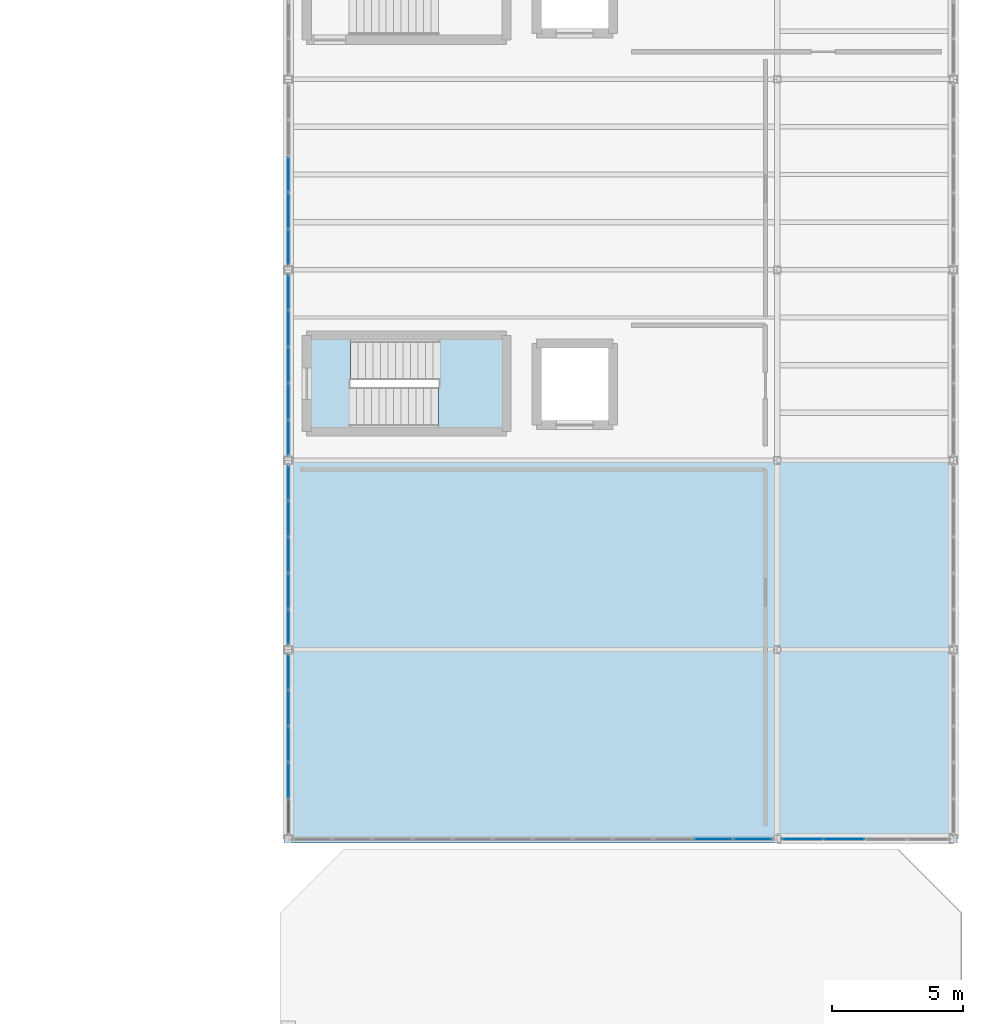
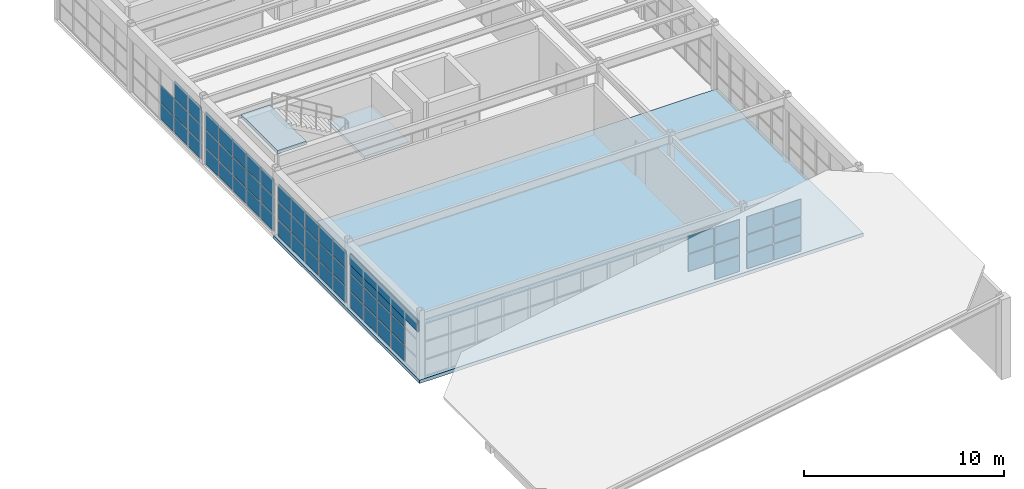
# One storey, part 39 of 52: 62 plates, 3 slabs, 7 elements without a shape of their own.
"""IFC4 building model written with IfcOpenShell, lengths in metres."""

import ifcopenshell
import ifcopenshell.guid

model = None  # the IFC model being written
_history = None  # IfcOwnerHistory: only IFC2X3 demands one
_inside = {}  # id of a spatial element -> (the spatial element, [elements in it])
_under = {}  # id of a project, library or spatial element -> (it, [spatial elements below it])
_declared = {}  # id of a project -> (the project, [libraries it declares])
_typed = {}  # id of a type object -> (the type object, [elements of that type])
_made_of = {}  # id of a material, layer set ... -> (it, [elements and type objects made of it])


def new_model(schema):
    """Start an empty IFC model of exactly this schema.

    Asked for "IFC4X3", IfcOpenShell would pick the latest addendum, in which some entities
    have other attributes; the version numbers below select the first issue.
    IFC2X3 requires an IfcOwnerHistory on every rooted entity: one is made here for all.
    """
    global model, _history
    if schema == "IFC4X3":
        model = ifcopenshell.file(schema_version=(4, 3, 0, 0))
    else:
        model = ifcopenshell.file(schema=schema)
    _inside.clear()
    _under.clear()
    _declared.clear()
    _typed.clear()
    _made_of.clear()
    _history = None
    if model.schema == "IFC2X3":
        org = make("IfcOrganization", Name="unknown")
        user = make(
            "IfcPersonAndOrganization",
            ThePerson=make("IfcPerson", FamilyName="unknown"),
            TheOrganization=org,
        )
        app = make(
            "IfcApplication",
            ApplicationDeveloper=org,
            Version="unknown",
            ApplicationFullName="unknown",
            ApplicationIdentifier="unknown",
        )
        _history = make(
            "IfcOwnerHistory",
            OwningUser=user,
            OwningApplication=app,
            ChangeAction="ADDED",
            CreationDate=0,
        )
    return model


def make(cls, **values):
    """One entity of the class cls with the attributes given. An attribute that is None is left unset."""
    return model.create_entity(
        cls, **{name: value for name, value in values.items() if value is not None}
    )


def rooted(cls, **values):
    """An entity with a GlobalId (a new one), such as an element, a storey or a relation."""
    return make(cls, GlobalId=ifcopenshell.guid.new(), OwnerHistory=_history, **values)


def si_unit(unit_type, name, prefix=None):
    """IfcSIUnit, for example si_unit("LENGTHUNIT", "METRE", prefix="MILLI")."""
    return make("IfcSIUnit", UnitType=unit_type, Prefix=prefix, Name=name)


def assignment(units):
    """IfcUnitAssignment: the units of a project."""
    return None if units is None else make("IfcUnitAssignment", Units=units)


def point(xyz):
    """IfcCartesianPoint."""
    return None if xyz is None else make("IfcCartesianPoint", Coordinates=xyz)


def direction(xyz):
    """IfcDirection."""
    return None if xyz is None else make("IfcDirection", DirectionRatios=xyz)


def frame(location, z_axis=None, x_axis=None):
    """IfcAxis2Placement3D, a coordinate frame: its origin and axes. An axis left out is left unset."""
    return make(
        "IfcAxis2Placement3D",
        Location=point(location),
        Axis=direction(z_axis),
        RefDirection=direction(x_axis),
    )


def frame_2d(location, x_axis=None):
    """IfcAxis2Placement2D, a coordinate frame in the plane: its origin and x axis."""
    return make(
        "IfcAxis2Placement2D", Location=point(location), RefDirection=direction(x_axis)
    )


def origin():
    """The frame at (0, 0, 0) with its axes left unset."""
    return frame((0.0, 0.0, 0.0))


def origin_2d():
    """The frame at (0, 0) in the plane with its x axis left unset."""
    return frame_2d((0.0, 0.0))


def place(relative_to, where):
    """IfcLocalPlacement: puts the frame where relative to a parent placement (None: the world)."""
    return make(
        "IfcLocalPlacement", PlacementRelTo=relative_to, RelativePlacement=where
    )


def context(
    kind, dimensions, precision=None, world=None, true_north=None, identifier=None
):
    """IfcGeometricRepresentationContext, for example the 3D "Model" context."""
    return make(
        "IfcGeometricRepresentationContext",
        ContextIdentifier=identifier,
        ContextType=kind,
        CoordinateSpaceDimension=dimensions,
        Precision=precision,
        WorldCoordinateSystem=world,
        TrueNorth=true_north,
    )


def subcontext(parent, identifier, kind, view, scale=None):
    """IfcGeometricRepresentationSubContext, for example "Body" below "Model"."""
    return make(
        "IfcGeometricRepresentationSubContext",
        ContextIdentifier=identifier,
        ContextType=kind,
        ParentContext=parent,
        TargetScale=scale,
        TargetView=view,
    )


def project(units=None, contexts=None):
    """IfcProject with its units and contexts."""
    return rooted(
        "IfcProject",
        Name="project",
        RepresentationContexts=contexts,
        UnitsInContext=assignment(units),
    )


def spatial(cls, under=None, at=None, **own):
    """A site, building, storey or space (cls), placed at a placement, below another one or the project."""
    s = rooted(cls, ObjectPlacement=at, **own)
    if under is not None:
        _under.setdefault(under.id(), (under, []))[1].append(s)
    return s


def polyline(points):
    """IfcPolyline through the points."""
    return make("IfcPolyline", Points=[point(p) for p in points])


def profile(cls, at=None, kind="AREA", **sizes):
    """A parametric profile (cls). Its sizes go by their IFC names, for example OverallWidth=200.0."""
    return make(cls, ProfileType=kind, Position=at, **sizes)


def rectangle(**sizes):
    """IfcRectangleProfileDef."""
    return profile("IfcRectangleProfileDef", **sizes)


def outline(outer, holes=None, kind="AREA"):
    """IfcArbitraryClosedProfileDef: a profile drawn as a closed curve; with holes, ...WithVoids."""
    if holes is None:
        return make("IfcArbitraryClosedProfileDef", ProfileType=kind, OuterCurve=outer)
    return make(
        "IfcArbitraryProfileDefWithVoids",
        ProfileType=kind,
        OuterCurve=outer,
        InnerCurves=holes,
    )


def extrude(swept, where, along, depth):
    """IfcExtrudedAreaSolid: the profile swept, set in the frame where, extruded along a direction by depth."""
    return make(
        "IfcExtrudedAreaSolid",
        SweptArea=swept,
        Position=where,
        ExtrudedDirection=direction(along),
        Depth=depth,
    )


def shape(context_of_items, identifier, shape_type, items):
    """IfcShapeRepresentation: the items that make up one representation, for example the "Body"."""
    return make(
        "IfcShapeRepresentation",
        ContextOfItems=context_of_items,
        RepresentationIdentifier=identifier,
        RepresentationType=shape_type,
        Items=items,
    )


def material(Name=None, Category=None):
    """IfcMaterial."""
    return make("IfcMaterial", Name=Name, Category=Category)


def layer(
    of_material, thickness, ventilated=None, Name=None, Category=None, Priority=None
):
    """IfcMaterialLayer: one layer of a wall or slab, of a material (None: an air gap)."""
    return make(
        "IfcMaterialLayer",
        Material=of_material,
        LayerThickness=thickness,
        IsVentilated=ventilated,
        Name=Name,
        Category=Category,
        Priority=Priority,
    )


def layer_set(layers, Name=None):
    """IfcMaterialLayerSet."""
    return make("IfcMaterialLayerSet", MaterialLayers=layers, LayerSetName=Name)


def made_of(thing, what):
    """Note that an element or type object is made of a material, layer set ...; save() writes the relation."""
    if what is not None:
        _made_of.setdefault(what.id(), (what, []))[1].append(thing)
    return thing


def type_object(cls, material=None, **own):
    """A type object (cls), such as IfcWallType, which elements share."""
    return made_of(rooted(cls, **own), material)


def element(
    cls,
    number,
    at=None,
    inside=None,
    cuts=None,
    type_object=None,
    material=None,
    context=None,
    identifier="Body",
    shape_type=None,
    held_by="IfcProductDefinitionShape",
    body=None,
    shapes=None,
    **own,
):
    """One element of the class cls, such as IfcWall. Its Tag is "e" and its number.

    at: its placement. inside: the storey or other place that contains it. cuts: it is an
    opening in that element (IfcRelVoidsElement). A single representation is given by context,
    identifier, shape_type and body (its items); several are given by shapes. held_by: the class
    of the entity that holds the representations. save() writes the other relations.
    """
    e = rooted(cls, Tag="e%d" % number, ObjectPlacement=at, **own)
    if body is not None:
        shapes = [shape(context, identifier, shape_type, body)]
    if shapes is not None:
        e.Representation = make(held_by, Representations=shapes)
    if inside is not None:
        _inside.setdefault(inside.id(), (inside, []))[1].append(e)
    if cuts is not None:
        rooted(
            "IfcRelVoidsElement", RelatingBuildingElement=cuts, RelatedOpeningElement=e
        )
    if type_object is not None:
        _typed.setdefault(type_object.id(), (type_object, []))[1].append(e)
    return made_of(e, material)


def aggregate(whole, parts):
    """IfcRelAggregates: a whole, such as a stair, and the parts it consists of."""
    return rooted("IfcRelAggregates", RelatingObject=whole, RelatedObjects=parts)


def save(model, path):
    """Write the relations noted so far, then the file.

    IfcRelAggregates (storeys below a building ...), IfcRelContainedInSpatialStructure (elements
    in a storey), IfcRelDefinesByType, IfcRelAssociatesMaterial and IfcRelDeclares: one each for
    every whole, place, type object, material and project.
    """
    for whole, parts in _under.values():
        aggregate(whole, parts)
    for where, things in _inside.values():
        rooted(
            "IfcRelContainedInSpatialStructure",
            RelatedElements=things,
            RelatingStructure=where,
        )
    for kind, things in _typed.values():
        rooted("IfcRelDefinesByType", RelatedObjects=things, RelatingType=kind)
    for what, things in _made_of.values():
        rooted("IfcRelAssociatesMaterial", RelatedObjects=things, RelatingMaterial=what)
    for by, libraries in _declared.values():
        rooted("IfcRelDeclares", RelatingContext=by, RelatedDefinitions=libraries)
    model.write(path)


model = new_model("IFC4")

# Units and contexts
model_context = context("Model", 3, precision=1e-05, world=origin(), true_north=direction((0.0, 1.0)))
body_context = subcontext(model_context, "Body", "Model", "MODEL_VIEW")
ifc_project = project(units=[si_unit("LENGTHUNIT", "METRE"), si_unit("AREAUNIT", "SQUARE_METRE"), si_unit("VOLUMEUNIT", "CUBIC_METRE"), si_unit("PLANEANGLEUNIT", "RADIAN"), si_unit("MASSUNIT", "GRAM", prefix="KILO")], contexts=[model_context])

# Site, building, storey
site_placement = place(None, origin())
site = spatial("IfcSite", under=ifc_project, at=site_placement, CompositionType="ELEMENT")
building_placement = place(site_placement, origin())
building = spatial("IfcBuilding", under=site, at=building_placement, Name="Candilejo Ridge Gondola Terminal", CompositionType="ELEMENT")
storey_placement = place(building_placement, frame((0.0, 0.0, 18.60009765625)))
storey = spatial("IfcBuildingStorey", under=building, at=storey_placement, Name="L04", CompositionType="ELEMENT", Elevation=18.60009765625)

# Curtain wall, plates
ifc_material_1 = material(Name="Anodised aluminium AA 6063-T6", Category="aluminium")
ifc_layer_1 = layer(ifc_material_1, 0.169921875)
ifc_layer_set_1 = layer_set([ifc_layer_1], Name="ARC-CW-TOWER-3000-690X329")
curtain_wall_type_1 = type_object("IfcCurtainWallType", Name="ARC-CW-TOWER-3000-690X329", PredefinedType="NOTDEFINED", material=ifc_layer_set_1)
curtain_wall_1_placement = place(storey_placement, origin())
curtain_wall_1 = element("IfcCurtainWall", 1, at=curtain_wall_1_placement, inside=storey, type_object=curtain_wall_type_1, Name="Curtain wall V5 L04-212", PredefinedType="NOTDEFINED")
ifc_material_2 = material(Name="Low-E laminated double glazing 6+12A+6+1.52PVB+6 mm", Category="glass")
ifc_layer_2 = layer(ifc_material_2, 0.028076171875)
ifc_layer_set_2 = layer_set([ifc_layer_2], Name="ARC-CW-GLAZ-PANEL")
plate_type_1 = type_object("IfcPlateType", Name="ARC-CW-GLAZ-PANEL", PredefinedType="CURTAIN_PANEL", material=ifc_layer_set_2)
plate_1_placement = place(storey_placement, frame((150.0, 86.8701171875, 0.059814453125), z_axis=(0.0, 0.0, 1.0), x_axis=(0.0, 1.0, 0.0)))
plate_1 = element("IfcPlate", 2, at=plate_1_placement, type_object=plate_type_1, Name="CW-69X32 panel 2.1", PredefinedType="CURTAIN_PANEL", context=body_context, shape_type="SweptSolid", body=[
    extrude(rectangle(XDim=1.31494140625, YDim=0.028076171875, at=origin_2d()), origin(), (0.0, 0.0, 1.0), 0.9599609375),
])
plate_2_placement = place(storey_placement, frame((150.0, 86.8701171875, 1.079833984375), z_axis=(0.0, 0.0, 1.0), x_axis=(0.0, 1.0, 0.0)))
plate_2 = element("IfcPlate", 3, at=plate_2_placement, type_object=plate_type_1, Name="CW-69X32 panel 2.2", PredefinedType="CURTAIN_PANEL", context=body_context, shape_type="SweptSolid", body=[
    extrude(rectangle(XDim=1.31494140625, YDim=0.028076171875, at=origin_2d()), origin(), (0.0, 0.0, 1.0), 1.0400390625),
])
plate_3_placement = place(storey_placement, frame((150.0, 86.8701171875, 2.1796875), z_axis=(0.0, 0.0, 1.0), x_axis=(0.0, 1.0, 0.0)))
plate_3 = element("IfcPlate", 4, at=plate_3_placement, type_object=plate_type_1, Name="CW-69X32 panel 2.3", PredefinedType="CURTAIN_PANEL", context=body_context, shape_type="SweptSolid", body=[
    extrude(rectangle(XDim=1.31494140625, YDim=0.028076171875, at=origin_2d()), origin(), (0.0, 0.0, 1.0), 1.050048828125),
])
plate_4_placement = place(storey_placement, frame((150.0, 88.25, 0.059814453125), z_axis=(0.0, 0.0, 1.0), x_axis=(0.0, 1.0, 0.0)))
plate_4 = element("IfcPlate", 5, at=plate_4_placement, type_object=plate_type_1, Name="CW-69X32 panel 3.1", PredefinedType="CURTAIN_PANEL", context=body_context, shape_type="SweptSolid", body=[
    extrude(rectangle(XDim=1.31494140625, YDim=0.028076171875, at=origin_2d()), origin(), (0.0, 0.0, 1.0), 0.9599609375),
])
plate_5_placement = place(storey_placement, frame((150.0, 88.25, 1.079833984375), z_axis=(0.0, 0.0, 1.0), x_axis=(0.0, 1.0, 0.0)))
plate_5 = element("IfcPlate", 6, at=plate_5_placement, type_object=plate_type_1, Name="CW-69X32 panel 3.2", PredefinedType="CURTAIN_PANEL", context=body_context, shape_type="SweptSolid", body=[
    extrude(rectangle(XDim=1.31494140625, YDim=0.028076171875, at=origin_2d()), origin(), (0.0, 0.0, 1.0), 1.0400390625),
])
plate_6_placement = place(storey_placement, frame((150.0, 88.25, 2.1796875), z_axis=(0.0, 0.0, 1.0), x_axis=(0.0, 1.0, 0.0)))
plate_6 = element("IfcPlate", 7, at=plate_6_placement, type_object=plate_type_1, Name="CW-69X32 panel 3.3", PredefinedType="CURTAIN_PANEL", context=body_context, shape_type="SweptSolid", body=[
    extrude(rectangle(XDim=1.31494140625, YDim=0.028076171875, at=origin_2d()), origin(), (0.0, 0.0, 1.0), 1.050048828125),
])
plate_7_placement = place(storey_placement, frame((150.0, 89.6298828125, 0.059814453125), z_axis=(0.0, 0.0, 1.0), x_axis=(0.0, 1.0, 0.0)))
plate_7 = element("IfcPlate", 8, at=plate_7_placement, type_object=plate_type_1, Name="CW-69X32 panel 4.1", PredefinedType="CURTAIN_PANEL", context=body_context, shape_type="SweptSolid", body=[
    extrude(rectangle(XDim=1.31494140625, YDim=0.028076171875, at=origin_2d()), origin(), (0.0, 0.0, 1.0), 0.9599609375),
])
plate_8_placement = place(storey_placement, frame((150.0, 89.6298828125, 1.079833984375), z_axis=(0.0, 0.0, 1.0), x_axis=(0.0, 1.0, 0.0)))
plate_8 = element("IfcPlate", 9, at=plate_8_placement, type_object=plate_type_1, Name="CW-69X32 panel 4.2", PredefinedType="CURTAIN_PANEL", context=body_context, shape_type="SweptSolid", body=[
    extrude(rectangle(XDim=1.31494140625, YDim=0.028076171875, at=origin_2d()), origin(), (0.0, 0.0, 1.0), 1.0400390625),
])
plate_9_placement = place(storey_placement, frame((150.0, 89.6298828125, 2.1796875), z_axis=(0.0, 0.0, 1.0), x_axis=(0.0, 1.0, 0.0)))
plate_9 = element("IfcPlate", 10, at=plate_9_placement, type_object=plate_type_1, Name="CW-69X32 panel 4.3", PredefinedType="CURTAIN_PANEL", context=body_context, shape_type="SweptSolid", body=[
    extrude(rectangle(XDim=1.31494140625, YDim=0.028076171875, at=origin_2d()), origin(), (0.0, 0.0, 1.0), 1.050048828125),
])
plate_10_placement = place(storey_placement, frame((150.0, 90.99365234375, 0.059814453125), z_axis=(0.0, 0.0, 1.0), x_axis=(0.0, 1.0, 0.0)))
plate_10 = element("IfcPlate", 11, at=plate_10_placement, type_object=plate_type_1, Name="CW-69X32 panel 5.1", PredefinedType="CURTAIN_PANEL", context=body_context, shape_type="SweptSolid", body=[
    extrude(rectangle(XDim=1.282470703125, YDim=0.028076171875, at=origin_2d()), origin(), (0.0, 0.0, 1.0), 0.9599609375),
])
plate_11_placement = place(storey_placement, frame((150.0, 90.99365234375, 1.079833984375), z_axis=(0.0, 0.0, 1.0), x_axis=(0.0, 1.0, 0.0)))
plate_11 = element("IfcPlate", 12, at=plate_11_placement, type_object=plate_type_1, Name="CW-69X32 panel 5.2", PredefinedType="CURTAIN_PANEL", context=body_context, shape_type="SweptSolid", body=[
    extrude(rectangle(XDim=1.282470703125, YDim=0.028076171875, at=origin_2d()), origin(), (0.0, 0.0, 1.0), 1.0400390625),
])
plate_12_placement = place(storey_placement, frame((150.0, 90.99365234375, 2.1796875), z_axis=(0.0, 0.0, 1.0), x_axis=(0.0, 1.0, 0.0)))
plate_12 = element("IfcPlate", 13, at=plate_12_placement, type_object=plate_type_1, Name="CW-69X32 panel 5.3", PredefinedType="CURTAIN_PANEL", context=body_context, shape_type="SweptSolid", body=[
    extrude(rectangle(XDim=1.282470703125, YDim=0.028076171875, at=origin_2d()), origin(), (0.0, 0.0, 1.0), 1.050048828125),
])
aggregate(curtain_wall_1, [plate_1, plate_2, plate_3, plate_4, plate_5, plate_6, plate_7, plate_8, plate_9, plate_10, plate_11, plate_12])

curtain_wall_2_placement = place(storey_placement, origin())
curtain_wall_2 = element("IfcCurtainWall", 14, at=curtain_wall_2_placement, inside=storey, type_object=curtain_wall_type_1, Name="Curtain wall V5 L04-214", PredefinedType="NOTDEFINED")
plate_13_placement = place(storey_placement, frame((150.0, 92.706298828125, 0.059814453125), z_axis=(0.0, 0.0, 1.0), x_axis=(0.0, 1.0, 0.0)))
plate_13 = element("IfcPlate", 15, at=plate_13_placement, type_object=plate_type_1, Name="CW-69X32 panel 1.1", PredefinedType="CURTAIN_PANEL", context=body_context, shape_type="SweptSolid", body=[
    extrude(rectangle(XDim=1.282470703125, YDim=0.028076171875, at=origin_2d()), origin(), (0.0, 0.0, 1.0), 0.9599609375),
])
plate_14_placement = place(storey_placement, frame((150.0, 92.706298828125, 1.079833984375), z_axis=(0.0, 0.0, 1.0), x_axis=(0.0, 1.0, 0.0)))
plate_14 = element("IfcPlate", 16, at=plate_14_placement, type_object=plate_type_1, Name="CW-69X32 panel 1.2", PredefinedType="CURTAIN_PANEL", context=body_context, shape_type="SweptSolid", body=[
    extrude(rectangle(XDim=1.282470703125, YDim=0.028076171875, at=origin_2d()), origin(), (0.0, 0.0, 1.0), 1.0400390625),
])
plate_15_placement = place(storey_placement, frame((150.0, 92.706298828125, 2.1796875), z_axis=(0.0, 0.0, 1.0), x_axis=(0.0, 1.0, 0.0)))
plate_15 = element("IfcPlate", 17, at=plate_15_placement, type_object=plate_type_1, Name="CW-69X32 panel 1.3", PredefinedType="CURTAIN_PANEL", context=body_context, shape_type="SweptSolid", body=[
    extrude(rectangle(XDim=1.282470703125, YDim=0.028076171875, at=origin_2d()), origin(), (0.0, 0.0, 1.0), 1.050048828125),
])
plate_16_placement = place(storey_placement, frame((150.0, 94.070068359375, 0.059814453125), z_axis=(0.0, 0.0, 1.0), x_axis=(0.0, 1.0, 0.0)))
plate_16 = element("IfcPlate", 18, at=plate_16_placement, type_object=plate_type_1, Name="CW-69X32 panel 2.1", PredefinedType="CURTAIN_PANEL", context=body_context, shape_type="SweptSolid", body=[
    extrude(rectangle(XDim=1.31494140625, YDim=0.028076171875, at=origin_2d()), origin(), (0.0, 0.0, 1.0), 0.9599609375),
])
plate_17_placement = place(storey_placement, frame((150.0, 94.070068359375, 1.079833984375), z_axis=(0.0, 0.0, 1.0), x_axis=(0.0, 1.0, 0.0)))
plate_17 = element("IfcPlate", 19, at=plate_17_placement, type_object=plate_type_1, Name="CW-69X32 panel 2.2", PredefinedType="CURTAIN_PANEL", context=body_context, shape_type="SweptSolid", body=[
    extrude(rectangle(XDim=1.31494140625, YDim=0.028076171875, at=origin_2d()), origin(), (0.0, 0.0, 1.0), 1.0400390625),
])
plate_18_placement = place(storey_placement, frame((150.0, 94.070068359375, 2.1796875), z_axis=(0.0, 0.0, 1.0), x_axis=(0.0, 1.0, 0.0)))
plate_18 = element("IfcPlate", 20, at=plate_18_placement, type_object=plate_type_1, Name="CW-69X32 panel 2.3", PredefinedType="CURTAIN_PANEL", context=body_context, shape_type="SweptSolid", body=[
    extrude(rectangle(XDim=1.31494140625, YDim=0.028076171875, at=origin_2d()), origin(), (0.0, 0.0, 1.0), 1.050048828125),
])
plate_19_placement = place(storey_placement, frame((150.0, 95.449951171875, 0.059814453125), z_axis=(0.0, 0.0, 1.0), x_axis=(0.0, 1.0, 0.0)))
plate_19 = element("IfcPlate", 21, at=plate_19_placement, type_object=plate_type_1, Name="CW-69X32 panel 3.1", PredefinedType="CURTAIN_PANEL", context=body_context, shape_type="SweptSolid", body=[
    extrude(rectangle(XDim=1.31494140625, YDim=0.028076171875, at=origin_2d()), origin(), (0.0, 0.0, 1.0), 0.9599609375),
])
plate_20_placement = place(storey_placement, frame((150.0, 95.449951171875, 1.079833984375), z_axis=(0.0, 0.0, 1.0), x_axis=(0.0, 1.0, 0.0)))
plate_20 = element("IfcPlate", 22, at=plate_20_placement, type_object=plate_type_1, Name="CW-69X32 panel 3.2", PredefinedType="CURTAIN_PANEL", context=body_context, shape_type="SweptSolid", body=[
    extrude(rectangle(XDim=1.31494140625, YDim=0.028076171875, at=origin_2d()), origin(), (0.0, 0.0, 1.0), 1.0400390625),
])
plate_21_placement = place(storey_placement, frame((150.0, 95.449951171875, 2.1796875), z_axis=(0.0, 0.0, 1.0), x_axis=(0.0, 1.0, 0.0)))
plate_21 = element("IfcPlate", 23, at=plate_21_placement, type_object=plate_type_1, Name="CW-69X32 panel 3.3", PredefinedType="CURTAIN_PANEL", context=body_context, shape_type="SweptSolid", body=[
    extrude(rectangle(XDim=1.31494140625, YDim=0.028076171875, at=origin_2d()), origin(), (0.0, 0.0, 1.0), 1.050048828125),
])
plate_22_placement = place(storey_placement, frame((150.0, 96.830078125, 0.059814453125), z_axis=(0.0, 0.0, 1.0), x_axis=(0.0, 1.0, 0.0)))
plate_22 = element("IfcPlate", 24, at=plate_22_placement, type_object=plate_type_1, Name="CW-69X32 panel 4.1", PredefinedType="CURTAIN_PANEL", context=body_context, shape_type="SweptSolid", body=[
    extrude(rectangle(XDim=1.31494140625, YDim=0.028076171875, at=origin_2d()), origin(), (0.0, 0.0, 1.0), 0.9599609375),
])
plate_23_placement = place(storey_placement, frame((150.0, 96.830078125, 1.079833984375), z_axis=(0.0, 0.0, 1.0), x_axis=(0.0, 1.0, 0.0)))
plate_23 = element("IfcPlate", 25, at=plate_23_placement, type_object=plate_type_1, Name="CW-69X32 panel 4.2", PredefinedType="CURTAIN_PANEL", context=body_context, shape_type="SweptSolid", body=[
    extrude(rectangle(XDim=1.31494140625, YDim=0.028076171875, at=origin_2d()), origin(), (0.0, 0.0, 1.0), 1.0400390625),
])
plate_24_placement = place(storey_placement, frame((150.0, 96.830078125, 2.1796875), z_axis=(0.0, 0.0, 1.0), x_axis=(0.0, 1.0, 0.0)))
plate_24 = element("IfcPlate", 26, at=plate_24_placement, type_object=plate_type_1, Name="CW-69X32 panel 4.3", PredefinedType="CURTAIN_PANEL", context=body_context, shape_type="SweptSolid", body=[
    extrude(rectangle(XDim=1.31494140625, YDim=0.028076171875, at=origin_2d()), origin(), (0.0, 0.0, 1.0), 1.050048828125),
])
plate_25_placement = place(storey_placement, frame((150.0, 98.19384765625, 0.059814453125), z_axis=(0.0, 0.0, 1.0), x_axis=(0.0, 1.0, 0.0)))
plate_25 = element("IfcPlate", 27, at=plate_25_placement, type_object=plate_type_1, Name="CW-69X32 panel 5.1", PredefinedType="CURTAIN_PANEL", context=body_context, shape_type="SweptSolid", body=[
    extrude(rectangle(XDim=1.282470703125, YDim=0.028076171875, at=origin_2d()), origin(), (0.0, 0.0, 1.0), 0.9599609375),
])
plate_26_placement = place(storey_placement, frame((150.0, 98.19384765625, 1.079833984375), z_axis=(0.0, 0.0, 1.0), x_axis=(0.0, 1.0, 0.0)))
plate_26 = element("IfcPlate", 28, at=plate_26_placement, type_object=plate_type_1, Name="CW-69X32 panel 5.2", PredefinedType="CURTAIN_PANEL", context=body_context, shape_type="SweptSolid", body=[
    extrude(rectangle(XDim=1.282470703125, YDim=0.028076171875, at=origin_2d()), origin(), (0.0, 0.0, 1.0), 1.0400390625),
])
plate_27_placement = place(storey_placement, frame((150.0, 98.19384765625, 2.1796875), z_axis=(0.0, 0.0, 1.0), x_axis=(0.0, 1.0, 0.0)))
plate_27 = element("IfcPlate", 29, at=plate_27_placement, type_object=plate_type_1, Name="CW-69X32 panel 5.3", PredefinedType="CURTAIN_PANEL", context=body_context, shape_type="SweptSolid", body=[
    extrude(rectangle(XDim=1.282470703125, YDim=0.028076171875, at=origin_2d()), origin(), (0.0, 0.0, 1.0), 1.050048828125),
])
aggregate(curtain_wall_2, [plate_13, plate_14, plate_15, plate_16, plate_17, plate_18, plate_19, plate_20, plate_21, plate_22, plate_23, plate_24, plate_25, plate_26, plate_27])

ifc_material_3 = material(Name="Anodised aluminium AA 6063-T6", Category="aluminium")
ifc_layer_3 = layer(ifc_material_3, 0.169921875)
ifc_layer_set_3 = layer_set([ifc_layer_3], Name="ARC-CW-TOWER-3000-695X329")
curtain_wall_type_2 = type_object("IfcCurtainWallType", Name="ARC-CW-TOWER-3000-695X329", PredefinedType="NOTDEFINED", material=ifc_layer_set_3)
curtain_wall_3_placement = place(storey_placement, origin())
curtain_wall_3 = element("IfcCurtainWall", 30, at=curtain_wall_3_placement, inside=storey, type_object=curtain_wall_type_2, Name="Curtain wall V5 L04-216", PredefinedType="NOTDEFINED")
plate_28_placement = place(storey_placement, frame((150.0, 99.9111328125, 0.059814453125), z_axis=(0.0, 0.0, 1.0), x_axis=(0.0, 1.0, 0.0)))
plate_28 = element("IfcPlate", 31, at=plate_28_placement, type_object=plate_type_1, Name="CW-69X32 panel 1.1", PredefinedType="CURTAIN_PANEL", context=body_context, shape_type="SweptSolid", body=[
    extrude(rectangle(XDim=1.29248046875, YDim=0.028076171875, at=origin_2d()), origin(), (0.0, 0.0, 1.0), 0.9599609375),
])
plate_29_placement = place(storey_placement, frame((150.0, 99.9111328125, 1.079833984375), z_axis=(0.0, 0.0, 1.0), x_axis=(0.0, 1.0, 0.0)))
plate_29 = element("IfcPlate", 32, at=plate_29_placement, type_object=plate_type_1, Name="CW-69X32 panel 1.2", PredefinedType="CURTAIN_PANEL", context=body_context, shape_type="SweptSolid", body=[
    extrude(rectangle(XDim=1.29248046875, YDim=0.028076171875, at=origin_2d()), origin(), (0.0, 0.0, 1.0), 1.0400390625),
])
plate_30_placement = place(storey_placement, frame((150.0, 99.9111328125, 2.1796875), z_axis=(0.0, 0.0, 1.0), x_axis=(0.0, 1.0, 0.0)))
plate_30 = element("IfcPlate", 33, at=plate_30_placement, type_object=plate_type_1, Name="CW-69X32 panel 1.3", PredefinedType="CURTAIN_PANEL", context=body_context, shape_type="SweptSolid", body=[
    extrude(rectangle(XDim=1.29248046875, YDim=0.028076171875, at=origin_2d()), origin(), (0.0, 0.0, 1.0), 1.050048828125),
])
plate_31_placement = place(storey_placement, frame((150.0, 101.284912109375, 0.059814453125), z_axis=(0.0, 0.0, 1.0), x_axis=(0.0, 1.0, 0.0)))
plate_31 = element("IfcPlate", 34, at=plate_31_placement, type_object=plate_type_1, Name="CW-69X32 panel 2.1", PredefinedType="CURTAIN_PANEL", context=body_context, shape_type="SweptSolid", body=[
    extrude(rectangle(XDim=1.324951171875, YDim=0.028076171875, at=origin_2d()), origin(), (0.0, 0.0, 1.0), 0.9599609375),
])
plate_32_placement = place(storey_placement, frame((150.0, 101.284912109375, 1.079833984375), z_axis=(0.0, 0.0, 1.0), x_axis=(0.0, 1.0, 0.0)))
plate_32 = element("IfcPlate", 35, at=plate_32_placement, type_object=plate_type_1, Name="CW-69X32 panel 2.2", PredefinedType="CURTAIN_PANEL", context=body_context, shape_type="SweptSolid", body=[
    extrude(rectangle(XDim=1.324951171875, YDim=0.028076171875, at=origin_2d()), origin(), (0.0, 0.0, 1.0), 1.0400390625),
])
plate_33_placement = place(storey_placement, frame((150.0, 101.284912109375, 2.1796875), z_axis=(0.0, 0.0, 1.0), x_axis=(0.0, 1.0, 0.0)))
plate_33 = element("IfcPlate", 36, at=plate_33_placement, type_object=plate_type_1, Name="CW-69X32 panel 2.3", PredefinedType="CURTAIN_PANEL", context=body_context, shape_type="SweptSolid", body=[
    extrude(rectangle(XDim=1.324951171875, YDim=0.028076171875, at=origin_2d()), origin(), (0.0, 0.0, 1.0), 1.050048828125),
])
plate_34_placement = place(storey_placement, frame((150.0, 102.675048828125, 0.059814453125), z_axis=(0.0, 0.0, 1.0), x_axis=(0.0, 1.0, 0.0)))
plate_34 = element("IfcPlate", 37, at=plate_34_placement, type_object=plate_type_1, Name="CW-69X32 panel 3.1", PredefinedType="CURTAIN_PANEL", context=body_context, shape_type="SweptSolid", body=[
    extrude(rectangle(XDim=1.324951171875, YDim=0.028076171875, at=origin_2d()), origin(), (0.0, 0.0, 1.0), 0.9599609375),
])
plate_35_placement = place(storey_placement, frame((150.0, 102.675048828125, 1.079833984375), z_axis=(0.0, 0.0, 1.0), x_axis=(0.0, 1.0, 0.0)))
plate_35 = element("IfcPlate", 38, at=plate_35_placement, type_object=plate_type_1, Name="CW-69X32 panel 3.2", PredefinedType="CURTAIN_PANEL", context=body_context, shape_type="SweptSolid", body=[
    extrude(rectangle(XDim=1.324951171875, YDim=0.028076171875, at=origin_2d()), origin(), (0.0, 0.0, 1.0), 1.0400390625),
])
plate_36_placement = place(storey_placement, frame((150.0, 102.675048828125, 2.1796875), z_axis=(0.0, 0.0, 1.0), x_axis=(0.0, 1.0, 0.0)))
plate_36 = element("IfcPlate", 39, at=plate_36_placement, type_object=plate_type_1, Name="CW-69X32 panel 3.3", PredefinedType="CURTAIN_PANEL", context=body_context, shape_type="SweptSolid", body=[
    extrude(rectangle(XDim=1.324951171875, YDim=0.028076171875, at=origin_2d()), origin(), (0.0, 0.0, 1.0), 1.050048828125),
])
plate_37_placement = place(storey_placement, frame((150.0, 104.06494140625, 0.059814453125), z_axis=(0.0, 0.0, 1.0), x_axis=(0.0, 1.0, 0.0)))
plate_37 = element("IfcPlate", 40, at=plate_37_placement, type_object=plate_type_1, Name="CW-69X32 panel 4.1", PredefinedType="CURTAIN_PANEL", context=body_context, shape_type="SweptSolid", body=[
    extrude(rectangle(XDim=1.324951171875, YDim=0.028076171875, at=origin_2d()), origin(), (0.0, 0.0, 1.0), 0.9599609375),
])
plate_38_placement = place(storey_placement, frame((150.0, 104.06494140625, 1.079833984375), z_axis=(0.0, 0.0, 1.0), x_axis=(0.0, 1.0, 0.0)))
plate_38 = element("IfcPlate", 41, at=plate_38_placement, type_object=plate_type_1, Name="CW-69X32 panel 4.2", PredefinedType="CURTAIN_PANEL", context=body_context, shape_type="SweptSolid", body=[
    extrude(rectangle(XDim=1.324951171875, YDim=0.028076171875, at=origin_2d()), origin(), (0.0, 0.0, 1.0), 1.0400390625),
])
plate_39_placement = place(storey_placement, frame((150.0, 104.06494140625, 2.1796875), z_axis=(0.0, 0.0, 1.0), x_axis=(0.0, 1.0, 0.0)))
plate_39 = element("IfcPlate", 42, at=plate_39_placement, type_object=plate_type_1, Name="CW-69X32 panel 4.3", PredefinedType="CURTAIN_PANEL", context=body_context, shape_type="SweptSolid", body=[
    extrude(rectangle(XDim=1.324951171875, YDim=0.028076171875, at=origin_2d()), origin(), (0.0, 0.0, 1.0), 1.050048828125),
])
plate_40_placement = place(storey_placement, frame((150.0, 105.438720703125, 0.059814453125), z_axis=(0.0, 0.0, 1.0), x_axis=(0.0, 1.0, 0.0)))
plate_40 = element("IfcPlate", 43, at=plate_40_placement, type_object=plate_type_1, Name="CW-69X32 panel 5.1", PredefinedType="CURTAIN_PANEL", context=body_context, shape_type="SweptSolid", body=[
    extrude(rectangle(XDim=1.29248046875, YDim=0.028076171875, at=origin_2d()), origin(), (0.0, 0.0, 1.0), 0.9599609375),
])
plate_41_placement = place(storey_placement, frame((150.0, 105.438720703125, 1.079833984375), z_axis=(0.0, 0.0, 1.0), x_axis=(0.0, 1.0, 0.0)))
plate_41 = element("IfcPlate", 44, at=plate_41_placement, type_object=plate_type_1, Name="CW-69X32 panel 5.2", PredefinedType="CURTAIN_PANEL", context=body_context, shape_type="SweptSolid", body=[
    extrude(rectangle(XDim=1.29248046875, YDim=0.028076171875, at=origin_2d()), origin(), (0.0, 0.0, 1.0), 1.0400390625),
])
plate_42_placement = place(storey_placement, frame((150.0, 105.438720703125, 2.1796875), z_axis=(0.0, 0.0, 1.0), x_axis=(0.0, 1.0, 0.0)))
plate_42 = element("IfcPlate", 45, at=plate_42_placement, type_object=plate_type_1, Name="CW-69X32 panel 5.3", PredefinedType="CURTAIN_PANEL", context=body_context, shape_type="SweptSolid", body=[
    extrude(rectangle(XDim=1.29248046875, YDim=0.028076171875, at=origin_2d()), origin(), (0.0, 0.0, 1.0), 1.050048828125),
])
aggregate(curtain_wall_3, [plate_28, plate_29, plate_30, plate_31, plate_32, plate_33, plate_34, plate_35, plate_36, plate_37, plate_38, plate_39, plate_40, plate_41, plate_42])

curtain_wall_4_placement = place(storey_placement, origin())
curtain_wall_4 = element("IfcCurtainWall", 46, at=curtain_wall_4_placement, inside=storey, type_object=curtain_wall_type_2, Name="Curtain wall V5 L04-218", PredefinedType="NOTDEFINED")
plate_43_placement = place(storey_placement, frame((150.0, 107.1611328125, 0.059814453125), z_axis=(0.0, 0.0, 1.0), x_axis=(0.0, 1.0, 0.0)))
plate_43 = element("IfcPlate", 47, at=plate_43_placement, type_object=plate_type_1, Name="CW-69X32 panel 1.1", PredefinedType="CURTAIN_PANEL", context=body_context, shape_type="SweptSolid", body=[
    extrude(rectangle(XDim=1.29248046875, YDim=0.028076171875, at=origin_2d()), origin(), (0.0, 0.0, 1.0), 0.9599609375),
])
plate_44_placement = place(storey_placement, frame((150.0, 107.1611328125, 1.079833984375), z_axis=(0.0, 0.0, 1.0), x_axis=(0.0, 1.0, 0.0)))
plate_44 = element("IfcPlate", 48, at=plate_44_placement, type_object=plate_type_1, Name="CW-69X32 panel 1.2", PredefinedType="CURTAIN_PANEL", context=body_context, shape_type="SweptSolid", body=[
    extrude(rectangle(XDim=1.29248046875, YDim=0.028076171875, at=origin_2d()), origin(), (0.0, 0.0, 1.0), 1.0400390625),
])
plate_45_placement = place(storey_placement, frame((150.0, 107.1611328125, 2.1796875), z_axis=(0.0, 0.0, 1.0), x_axis=(0.0, 1.0, 0.0)))
plate_45 = element("IfcPlate", 49, at=plate_45_placement, type_object=plate_type_1, Name="CW-69X32 panel 1.3", PredefinedType="CURTAIN_PANEL", context=body_context, shape_type="SweptSolid", body=[
    extrude(rectangle(XDim=1.29248046875, YDim=0.028076171875, at=origin_2d()), origin(), (0.0, 0.0, 1.0), 1.050048828125),
])
plate_46_placement = place(storey_placement, frame((150.0, 108.534912109375, 0.059814453125), z_axis=(0.0, 0.0, 1.0), x_axis=(0.0, 1.0, 0.0)))
plate_46 = element("IfcPlate", 50, at=plate_46_placement, type_object=plate_type_1, Name="CW-69X32 panel 2.1", PredefinedType="CURTAIN_PANEL", context=body_context, shape_type="SweptSolid", body=[
    extrude(rectangle(XDim=1.324951171875, YDim=0.028076171875, at=origin_2d()), origin(), (0.0, 0.0, 1.0), 0.9599609375),
])
plate_47_placement = place(storey_placement, frame((150.0, 108.534912109375, 1.079833984375), z_axis=(0.0, 0.0, 1.0), x_axis=(0.0, 1.0, 0.0)))
plate_47 = element("IfcPlate", 51, at=plate_47_placement, type_object=plate_type_1, Name="CW-69X32 panel 2.2", PredefinedType="CURTAIN_PANEL", context=body_context, shape_type="SweptSolid", body=[
    extrude(rectangle(XDim=1.324951171875, YDim=0.028076171875, at=origin_2d()), origin(), (0.0, 0.0, 1.0), 1.0400390625),
])
plate_48_placement = place(storey_placement, frame((150.0, 108.534912109375, 2.1796875), z_axis=(0.0, 0.0, 1.0), x_axis=(0.0, 1.0, 0.0)))
plate_48 = element("IfcPlate", 52, at=plate_48_placement, type_object=plate_type_1, Name="CW-69X32 panel 2.3", PredefinedType="CURTAIN_PANEL", context=body_context, shape_type="SweptSolid", body=[
    extrude(rectangle(XDim=1.324951171875, YDim=0.028076171875, at=origin_2d()), origin(), (0.0, 0.0, 1.0), 1.050048828125),
])
plate_49_placement = place(storey_placement, frame((150.0, 109.925048828125, 0.059814453125), z_axis=(0.0, 0.0, 1.0), x_axis=(0.0, 1.0, 0.0)))
plate_49 = element("IfcPlate", 53, at=plate_49_placement, type_object=plate_type_1, Name="CW-69X32 panel 3.1", PredefinedType="CURTAIN_PANEL", context=body_context, shape_type="SweptSolid", body=[
    extrude(rectangle(XDim=1.324951171875, YDim=0.028076171875, at=origin_2d()), origin(), (0.0, 0.0, 1.0), 0.9599609375),
])
plate_50_placement = place(storey_placement, frame((150.0, 109.925048828125, 1.079833984375), z_axis=(0.0, 0.0, 1.0), x_axis=(0.0, 1.0, 0.0)))
plate_50 = element("IfcPlate", 54, at=plate_50_placement, type_object=plate_type_1, Name="CW-69X32 panel 3.2", PredefinedType="CURTAIN_PANEL", context=body_context, shape_type="SweptSolid", body=[
    extrude(rectangle(XDim=1.324951171875, YDim=0.028076171875, at=origin_2d()), origin(), (0.0, 0.0, 1.0), 1.0400390625),
])
aggregate(curtain_wall_4, [plate_43, plate_44, plate_45, plate_46, plate_47, plate_48, plate_49, plate_50])

ifc_material_4 = material(Name="Anodised aluminium AA 6063-T6", Category="aluminium")
ifc_layer_4 = layer(ifc_material_4, 0.169921875)
ifc_layer_set_4 = layer_set([ifc_layer_4], Name="ARC-CW-TOWER-3000-1830X329")
curtain_wall_type_3 = type_object("IfcCurtainWallType", Name="ARC-CW-TOWER-3000-1830X329", PredefinedType="NOTDEFINED", material=ifc_layer_set_4)
curtain_wall_5_placement = place(storey_placement, origin())
curtain_wall_5 = element("IfcCurtainWall", 55, at=curtain_wall_5_placement, inside=storey, type_object=curtain_wall_type_3, Name="Curtain wall V5 L04-222", PredefinedType="NOTDEFINED")
plate_51_placement = place(storey_placement, frame((166.16259765625, 84.64990234375, 1.079833984375), z_axis=(0.0, 0.0, 1.0), x_axis=(1.0, 0.0, 0.0)))
plate_51 = element("IfcPlate", 56, at=plate_51_placement, type_object=plate_type_1, Name="CW-183X32 panel 11.2", PredefinedType="CURTAIN_PANEL", context=body_context, shape_type="SweptSolid", body=[
    extrude(rectangle(XDim=1.4599609375, YDim=0.028076171875, at=origin_2d()), origin(), (0.0, 0.0, 1.0), 1.0400390625),
])
plate_52_placement = place(storey_placement, frame((166.16259765625, 84.64990234375, 2.1796875), z_axis=(0.0, 0.0, 1.0), x_axis=(1.0, 0.0, 0.0)))
plate_52 = element("IfcPlate", 57, at=plate_52_placement, type_object=plate_type_1, Name="CW-183X32 panel 11.3", PredefinedType="CURTAIN_PANEL", context=body_context, shape_type="SweptSolid", body=[
    extrude(rectangle(XDim=1.4599609375, YDim=0.028076171875, at=origin_2d()), origin(), (0.0, 0.0, 1.0), 1.050048828125),
])
plate_53_placement = place(storey_placement, frame((167.671142578125, 84.64990234375, 0.059814453125), z_axis=(0.0, 0.0, 1.0), x_axis=(1.0, 0.0, 0.0)))
plate_53 = element("IfcPlate", 58, at=plate_53_placement, type_object=plate_type_1, Name="CW-183X32 panel 12.1", PredefinedType="CURTAIN_PANEL", context=body_context, shape_type="SweptSolid", body=[
    extrude(rectangle(XDim=1.427490234375, YDim=0.028076171875, at=origin_2d()), origin(), (0.0, 0.0, 1.0), 0.9599609375),
])
plate_54_placement = place(storey_placement, frame((167.671142578125, 84.64990234375, 1.079833984375), z_axis=(0.0, 0.0, 1.0), x_axis=(1.0, 0.0, 0.0)))
plate_54 = element("IfcPlate", 59, at=plate_54_placement, type_object=plate_type_1, Name="CW-183X32 panel 12.2", PredefinedType="CURTAIN_PANEL", context=body_context, shape_type="SweptSolid", body=[
    extrude(rectangle(XDim=1.427490234375, YDim=0.028076171875, at=origin_2d()), origin(), (0.0, 0.0, 1.0), 1.0400390625),
])
plate_55_placement = place(storey_placement, frame((167.671142578125, 84.64990234375, 2.1796875), z_axis=(0.0, 0.0, 1.0), x_axis=(1.0, 0.0, 0.0)))
plate_55 = element("IfcPlate", 60, at=plate_55_placement, type_object=plate_type_1, Name="CW-183X32 panel 12.3", PredefinedType="CURTAIN_PANEL", context=body_context, shape_type="SweptSolid", body=[
    extrude(rectangle(XDim=1.427490234375, YDim=0.028076171875, at=origin_2d()), origin(), (0.0, 0.0, 1.0), 1.050048828125),
])
aggregate(curtain_wall_5, [plate_51, plate_52, plate_53, plate_54, plate_55])

ifc_material_5 = material(Name="Anodised aluminium AA 6063-T6", Category="aluminium")
ifc_layer_5 = layer(ifc_material_5, 0.169921875)
ifc_layer_set_5 = layer_set([ifc_layer_5], Name="ARC-CW-TOWER-3000-640X329")
curtain_wall_type_4 = type_object("IfcCurtainWallType", Name="ARC-CW-TOWER-3000-640X329", PredefinedType="NOTDEFINED", material=ifc_layer_set_5)
curtain_wall_6_placement = place(storey_placement, origin())
curtain_wall_6 = element("IfcCurtainWall", 61, at=curtain_wall_6_placement, inside=storey, type_object=curtain_wall_type_4, Name="Curtain wall V5 L04-224", PredefinedType="NOTDEFINED")
plate_56_placement = place(storey_placement, frame((169.566162109375, 84.64990234375, 0.059814453125), z_axis=(0.0, 0.0, 1.0), x_axis=(1.0, 0.0, 0.0)))
plate_56 = element("IfcPlate", 62, at=plate_56_placement, type_object=plate_type_1, Name="CW-64X32 panel 1.1", PredefinedType="CURTAIN_PANEL", context=body_context, shape_type="SweptSolid", body=[
    extrude(rectangle(XDim=1.50244140625, YDim=0.028076171875, at=origin_2d()), origin(), (0.0, 0.0, 1.0), 0.9599609375),
])
plate_57_placement = place(storey_placement, frame((169.566162109375, 84.64990234375, 1.079833984375), z_axis=(0.0, 0.0, 1.0), x_axis=(1.0, 0.0, 0.0)))
plate_57 = element("IfcPlate", 63, at=plate_57_placement, type_object=plate_type_1, Name="CW-64X32 panel 1.2", PredefinedType="CURTAIN_PANEL", context=body_context, shape_type="SweptSolid", body=[
    extrude(rectangle(XDim=1.50244140625, YDim=0.028076171875, at=origin_2d()), origin(), (0.0, 0.0, 1.0), 1.0400390625),
])
plate_58_placement = place(storey_placement, frame((169.566162109375, 84.64990234375, 2.1796875), z_axis=(0.0, 0.0, 1.0), x_axis=(1.0, 0.0, 0.0)))
plate_58 = element("IfcPlate", 64, at=plate_58_placement, type_object=plate_type_1, Name="CW-64X32 panel 1.3", PredefinedType="CURTAIN_PANEL", context=body_context, shape_type="SweptSolid", body=[
    extrude(rectangle(XDim=1.50244140625, YDim=0.028076171875, at=origin_2d()), origin(), (0.0, 0.0, 1.0), 1.050048828125),
])
plate_59_placement = place(storey_placement, frame((171.14990234375, 84.64990234375, 0.059814453125), z_axis=(0.0, 0.0, 1.0), x_axis=(1.0, 0.0, 0.0)))
plate_59 = element("IfcPlate", 65, at=plate_59_placement, type_object=plate_type_1, Name="CW-64X32 panel 2.1", PredefinedType="CURTAIN_PANEL", context=body_context, shape_type="SweptSolid", body=[
    extrude(rectangle(XDim=1.534912109375, YDim=0.028076171875, at=origin_2d()), origin(), (0.0, 0.0, 1.0), 0.9599609375),
])
plate_60_placement = place(storey_placement, frame((171.14990234375, 84.64990234375, 1.079833984375), z_axis=(0.0, 0.0, 1.0), x_axis=(1.0, 0.0, 0.0)))
plate_60 = element("IfcPlate", 66, at=plate_60_placement, type_object=plate_type_1, Name="CW-64X32 panel 2.2", PredefinedType="CURTAIN_PANEL", context=body_context, shape_type="SweptSolid", body=[
    extrude(rectangle(XDim=1.534912109375, YDim=0.028076171875, at=origin_2d()), origin(), (0.0, 0.0, 1.0), 1.0400390625),
])
plate_61_placement = place(storey_placement, frame((171.14990234375, 84.64990234375, 2.1796875), z_axis=(0.0, 0.0, 1.0), x_axis=(1.0, 0.0, 0.0)))
plate_61 = element("IfcPlate", 67, at=plate_61_placement, type_object=plate_type_1, Name="CW-64X32 panel 2.3", PredefinedType="CURTAIN_PANEL", context=body_context, shape_type="SweptSolid", body=[
    extrude(rectangle(XDim=1.534912109375, YDim=0.028076171875, at=origin_2d()), origin(), (0.0, 0.0, 1.0), 1.050048828125),
])
aggregate(curtain_wall_6, [plate_56, plate_57, plate_58, plate_59, plate_60, plate_61])

# Plate
ifc_material_6 = material(Name="Insulated aluminium spandrel panel 60 mm", Category="aluminium")
ifc_layer_6 = layer(ifc_material_6, 0.054931640625)
ifc_layer_set_6 = layer_set([ifc_layer_6], Name="ARC-SPANDREL-V5-L04")
plate_type_2 = type_object("IfcPlateType", Name="ARC-SPANDREL-V5-L04", PredefinedType="SHEET", material=ifc_layer_set_6)
plate_62_placement = place(storey_placement, frame((150.0, 88.25, 2.669921875), z_axis=(0.0, 0.0, 1.0), x_axis=(0.0, 1.0, 0.0)))
element("IfcPlate", 68, at=plate_62_placement, inside=storey, type_object=plate_type_2, Name="Spandrel band SP-54", PredefinedType="SHEET", context=body_context, shape_type="SweptSolid", body=[
    extrude(rectangle(XDim=6.75, YDim=0.054931640625, at=origin_2d()), origin(), (0.0, 0.0, 1.0), 0.679931640625),
])

# Slab
ifc_material_7 = material(Name="Concrete f'c 35 MPa (C35/45)", Category="concrete")
ifc_layer_7 = layer(ifc_material_7, 0.2099609375)
ifc_layer_set_7 = layer_set([ifc_layer_7], Name="STR-FLOOR-SLAB-210")
slab_type_1 = type_object("IfcSlabType", Name="STR-FLOOR-SLAB-210", PredefinedType="FLOOR", material=ifc_layer_set_7)
slab_1_placement = place(storey_placement, frame((0.0, 0.0, -0.210205078125)))
element("IfcSlab", 69, at=slab_1_placement, inside=storey, type_object=slab_type_1, Name="Slab SLB-V5-L04-M", PredefinedType="FLOOR", context=body_context, shape_type="SweptSolid", body=[
    extrude(outline(polyline([(149.85009765625, 84.5), (175.449951171875, 84.5), (175.449951171875, 99.050048828125), (149.85009765625, 99.050048828125), (149.85009765625, 84.5)])), origin(), (0.0, 0.0, 1.0), 0.210205078125),
])

# Stair, slabs
ifc_material_8 = material(Name="Concrete f'c 35 MPa (C35/45)", Category="concrete")
stair_type = type_object("IfcStairType", Name="STR-STAIR-1500-4200", PredefinedType="HALF_TURN_STAIR", material=ifc_material_8)
stair_placement = place(storey_placement, origin())
stair = element("IfcStair", 70, at=stair_placement, inside=storey, type_object=stair_type, Name="Enclosed fire exit stair ST-V5A-L04", PredefinedType="HALF_TURN_STAIR")
ifc_material_9 = material(Name="Concrete f'c 35 MPa (C35/45)", Category="concrete")
ifc_layer_8 = layer(ifc_material_9, 0.199951171875)
ifc_layer_set_8 = layer_set([ifc_layer_8], Name="STR-STAIR-LANDING-200")
slab_type_2 = type_object("IfcSlabType", Name="STR-STAIR-LANDING-200", PredefinedType="LANDING", material=ifc_layer_set_8)
slab_2_placement = place(storey_placement, frame((0.0, 0.0, 1.89990234375)))
slab_2 = element("IfcSlab", 71, at=slab_2_placement, type_object=slab_type_2, Name="Stair half-landing ST-V5A-LND-04", PredefinedType="LANDING", context=body_context, shape_type="SweptSolid", body=[
    extrude(outline(polyline([(155.719970703125, 100.14990234375), (158.300048828125, 100.14990234375), (158.300048828125, 103.800048828125), (155.719970703125, 103.800048828125), (155.719970703125, 100.14990234375)])), origin(), (0.0, 0.0, 1.0), 0.199951171875),
])
slab_3_placement = place(storey_placement, frame((0.0, 0.0, 4.0)))
slab_3 = element("IfcSlab", 72, at=slab_3_placement, type_object=slab_type_2, Name="Stair floor landing ST-V5A-L04-ARR-L05", PredefinedType="LANDING", context=body_context, shape_type="SweptSolid", body=[
    extrude(outline(polyline([(150.699951171875, 100.14990234375), (152.360107421875, 100.14990234375), (152.360107421875, 103.800048828125), (150.699951171875, 103.800048828125), (150.699951171875, 100.14990234375)])), origin(), (0.0, 0.0, 1.0), 0.199951171875),
])
aggregate(stair, [slab_2, slab_3])

save(model, "model.ifc")
